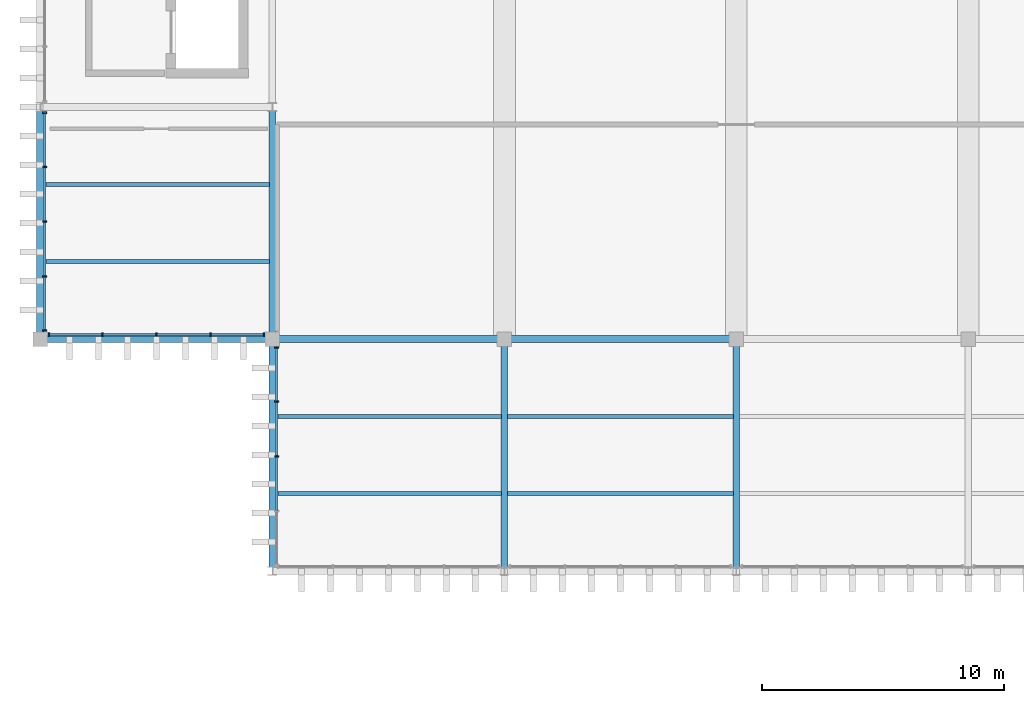
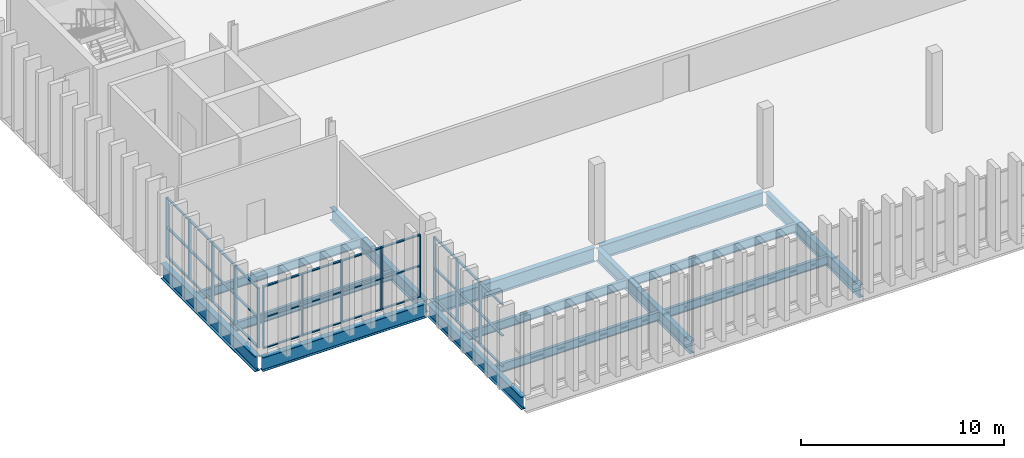
# One storey, part 16 of 99: 46 members, 14 beams, 3 elements without a shape of their own.
"""IFC4 building model written with IfcOpenShell, lengths in metres."""

from ifc_helpers import new_model, si_unit, direction, frame, origin, origin_2d, place, context, subcontext, project, spatial, rectangle, i_section, extrude, material, layer, layer_set, material_profile, profile_set, type_object, element, aggregate, save


model = new_model("IFC4")

# Units and contexts
model_context = context("Model", 3, precision=1e-05, world=origin(), true_north=direction((0.0, 1.0)))
body_context = subcontext(model_context, "Body", "Model", "MODEL_VIEW")
ifc_project = project(units=[si_unit("LENGTHUNIT", "METRE"), si_unit("AREAUNIT", "SQUARE_METRE"), si_unit("VOLUMEUNIT", "CUBIC_METRE"), si_unit("PLANEANGLEUNIT", "RADIAN"), si_unit("MASSUNIT", "GRAM", prefix="KILO")], contexts=[model_context])

# Site, building, storey
site_placement = place(None, origin())
site = spatial("IfcSite", under=ifc_project, at=site_placement, CompositionType="ELEMENT")
building_placement = place(site_placement, origin())
building = spatial("IfcBuilding", under=site, at=building_placement, Name="Caelomonte Colonnade Arena", CompositionType="ELEMENT")
storey_placement = place(building_placement, frame((0.0, 0.0, 4.800048828125)))
storey = spatial("IfcBuildingStorey", under=building, at=storey_placement, Name="L01", CompositionType="ELEMENT", Elevation=4.800048828125)

# Curtain wall, members
ifc_material_1 = material(Name="Bronze anodised aluminium and low-E glazing", Category="aluminium")
ifc_layer_1 = layer(ifc_material_1, 0.179931640625)
ifc_layer_set_1 = layer_set([ifc_layer_1], Name="Bronze anodised aluminium and low-E glazing")
curtain_wall_type_1 = type_object("IfcCurtainWallType", Name="ENV-CW-CW-L01-96-36", PredefinedType="USERDEFINED", material=ifc_layer_set_1)
curtain_wall_1_placement = place(storey_placement, origin())
curtain_wall_1 = element("IfcCurtainWall", 1, at=curtain_wall_1_placement, inside=storey, type_object=curtain_wall_type_1, Name="L01 unitized curtain wall CW-L01-0002-0432", ObjectType="UNITIZED CURTAIN WALL", PredefinedType="USERDEFINED")
ifc_material_2 = material(Name="Bronze anodised aluminium AA6063-T6", Category="aluminium")
ifc_material_profile_1 = material_profile(ifc_material_2, rectangle(XDim=0.06494140625, YDim=0.14990234375, at=origin_2d()), Name="CWM-65X150")
ifc_profile_set_1 = profile_set([ifc_material_profile_1], Name="Bronze anodised aluminium AA6063-T6")
member_type_1 = type_object("IfcMemberType", Name="ENV-CW-MULL2", PredefinedType="MULLION", material=ifc_profile_set_1)
member_1_placement = place(storey_placement, frame((0.179931640625, 47.76318359375, 0.0), z_axis=(0.0, 0.0, 1.0), x_axis=(0.0, -1.0, 0.0)))
member_1 = element("IfcMember", 2, at=member_1_placement, type_object=member_type_1, Name="CW-L01-96-36 mullion 1", PredefinedType="MULLION", context=body_context, shape_type="SweptSolid", body=[
    extrude(rectangle(XDim=0.06494140625, YDim=0.14990234375, at=origin_2d()), origin(), (0.0, 0.0, 1.0), 3.593017578125),
])
member_2_placement = place(storey_placement, frame((0.179931640625, 45.526611328125, 0.0), z_axis=(0.0, 0.0, 1.0), x_axis=(0.0, -1.0, 0.0)))
member_2 = element("IfcMember", 3, at=member_2_placement, type_object=member_type_1, Name="CW-L01-96-36 mullion 2", PredefinedType="MULLION", context=body_context, shape_type="SweptSolid", body=[
    extrude(rectangle(XDim=0.06494140625, YDim=0.14990234375, at=origin_2d()), origin(), (0.0, 0.0, 1.0), 3.593017578125),
])
member_3_placement = place(storey_placement, frame((0.179931640625, 43.2578125, 0.0), z_axis=(0.0, 0.0, 1.0), x_axis=(0.0, -1.0, 0.0)))
member_3 = element("IfcMember", 4, at=member_3_placement, type_object=member_type_1, Name="CW-L01-96-36 mullion 3", PredefinedType="MULLION", context=body_context, shape_type="SweptSolid", body=[
    extrude(rectangle(XDim=0.06494140625, YDim=0.14990234375, at=origin_2d()), origin(), (0.0, 0.0, 1.0), 3.593017578125),
])
member_4_placement = place(storey_placement, frame((0.179931640625, 40.989013671875, 0.0), z_axis=(0.0, 0.0, 1.0), x_axis=(0.0, -1.0, 0.0)))
member_4 = element("IfcMember", 5, at=member_4_placement, type_object=member_type_1, Name="CW-L01-96-36 mullion 4", PredefinedType="MULLION", context=body_context, shape_type="SweptSolid", body=[
    extrude(rectangle(XDim=0.06494140625, YDim=0.14990234375, at=origin_2d()), origin(), (0.0, 0.0, 1.0), 3.593017578125),
])
member_5_placement = place(storey_placement, frame((0.179931640625, 38.75244140625, 0.0), z_axis=(0.0, 0.0, 1.0), x_axis=(0.0, -1.0, 0.0)))
member_5 = element("IfcMember", 6, at=member_5_placement, type_object=member_type_1, Name="CW-L01-96-36 mullion 5", PredefinedType="MULLION", context=body_context, shape_type="SweptSolid", body=[
    extrude(rectangle(XDim=0.06494140625, YDim=0.14990234375, at=origin_2d()), origin(), (0.0, 0.0, 1.0), 3.593017578125),
])

ifc_layer_2 = layer(ifc_material_1, 0.179931640625)
ifc_layer_set_2 = layer_set([ifc_layer_2], Name="Bronze anodised aluminium and low-E glazing")
curtain_wall_type_2 = type_object("IfcCurtainWallType", Name="ENV-CW-CW-L01-96-38", PredefinedType="USERDEFINED", material=ifc_layer_set_2)
curtain_wall_2_placement = place(storey_placement, origin())
curtain_wall_2 = element("IfcCurtainWall", 7, at=curtain_wall_2_placement, inside=storey, type_object=curtain_wall_type_2, Name="L01 unitized curtain wall CW-L01-0048-0386", ObjectType="UNITIZED CURTAIN WALL", PredefinedType="USERDEFINED")
member_6_placement = place(storey_placement, frame((0.3525390625, 38.580078125, 0.0), z_axis=(0.0, 0.0, 1.0), x_axis=(1.0, 0.0, 0.0)))
member_6 = element("IfcMember", 8, at=member_6_placement, type_object=member_type_1, Name="CW-L01-96-38 mullion 1", PredefinedType="MULLION", context=body_context, shape_type="SweptSolid", body=[
    extrude(rectangle(XDim=0.06494140625, YDim=0.14990234375, at=origin_2d()), origin(), (0.0, 0.0, 1.0), 3.758056640625),
])
member_7_placement = place(storey_placement, frame((2.56005859375, 38.580078125, 0.0), z_axis=(0.0, 0.0, 1.0), x_axis=(1.0, 0.0, 0.0)))
member_7 = element("IfcMember", 9, at=member_7_placement, type_object=member_type_1, Name="CW-L01-96-38 mullion 2", PredefinedType="MULLION", context=body_context, shape_type="SweptSolid", body=[
    extrude(rectangle(XDim=0.06494140625, YDim=0.14990234375, at=origin_2d()), origin(), (0.0, 0.0, 1.0), 3.758056640625),
])
member_8_placement = place(storey_placement, frame((4.800048828125, 38.580078125, 0.0), z_axis=(0.0, 0.0, 1.0), x_axis=(1.0, 0.0, 0.0)))
member_8 = element("IfcMember", 10, at=member_8_placement, type_object=member_type_1, Name="CW-L01-96-38 mullion 3", PredefinedType="MULLION", context=body_context, shape_type="SweptSolid", body=[
    extrude(rectangle(XDim=0.06494140625, YDim=0.14990234375, at=origin_2d()), origin(), (0.0, 0.0, 1.0), 3.758056640625),
])
member_9_placement = place(storey_placement, frame((7.0400390625, 38.580078125, 0.0), z_axis=(0.0, 0.0, 1.0), x_axis=(1.0, 0.0, 0.0)))
member_9 = element("IfcMember", 11, at=member_9_placement, type_object=member_type_1, Name="CW-L01-96-38 mullion 4", PredefinedType="MULLION", context=body_context, shape_type="SweptSolid", body=[
    extrude(rectangle(XDim=0.06494140625, YDim=0.14990234375, at=origin_2d()), origin(), (0.0, 0.0, 1.0), 3.758056640625),
])
member_10_placement = place(storey_placement, frame((9.24755859375, 38.580078125, 0.0), z_axis=(0.0, 0.0, 1.0), x_axis=(1.0, 0.0, 0.0)))
member_10 = element("IfcMember", 12, at=member_10_placement, type_object=member_type_1, Name="CW-L01-96-38 mullion 5", PredefinedType="MULLION", context=body_context, shape_type="SweptSolid", body=[
    extrude(rectangle(XDim=0.06494140625, YDim=0.14990234375, at=origin_2d()), origin(), (0.0, 0.0, 1.0), 3.758056640625),
])

curtain_wall_3_placement = place(storey_placement, origin())
curtain_wall_3 = element("IfcCurtainWall", 13, at=curtain_wall_3_placement, inside=storey, type_object=curtain_wall_type_2, Name="L01 unitized curtain wall CW-L01-0098-0336", ObjectType="UNITIZED CURTAIN WALL", PredefinedType="USERDEFINED")
member_11_placement = place(storey_placement, frame((9.780029296875, 38.047607421875, 0.0), z_axis=(0.0, 0.0, 1.0), x_axis=(0.0, -1.0, 0.0)))
member_11 = element("IfcMember", 14, at=member_11_placement, type_object=member_type_1, Name="CW-L01-96-38 mullion 1", PredefinedType="MULLION", context=body_context, shape_type="SweptSolid", body=[
    extrude(rectangle(XDim=0.06494140625, YDim=0.14990234375, at=origin_2d()), origin(), (0.0, 0.0, 1.0), 3.758056640625),
])
member_12_placement = place(storey_placement, frame((9.780029296875, 35.81103515625, 0.0), z_axis=(0.0, 0.0, 1.0), x_axis=(0.0, -1.0, 0.0)))
member_12 = element("IfcMember", 15, at=member_12_placement, type_object=member_type_1, Name="CW-L01-96-38 mullion 2", PredefinedType="MULLION", context=body_context, shape_type="SweptSolid", body=[
    extrude(rectangle(XDim=0.06494140625, YDim=0.14990234375, at=origin_2d()), origin(), (0.0, 0.0, 1.0), 3.758056640625),
])
member_13_placement = place(storey_placement, frame((9.780029296875, 33.542236328125, 0.0), z_axis=(0.0, 0.0, 1.0), x_axis=(0.0, -1.0, 0.0)))
member_13 = element("IfcMember", 16, at=member_13_placement, type_object=member_type_1, Name="CW-L01-96-38 mullion 3", PredefinedType="MULLION", context=body_context, shape_type="SweptSolid", body=[
    extrude(rectangle(XDim=0.06494140625, YDim=0.14990234375, at=origin_2d()), origin(), (0.0, 0.0, 1.0), 3.758056640625),
])

# Member
ifc_material_profile_2 = material_profile(ifc_material_2, rectangle(XDim=0.06494140625, YDim=0.1201171875, at=origin_2d()), Name="CWT-65X120")
ifc_profile_set_2 = profile_set([ifc_material_profile_2], Name="Bronze anodised aluminium AA6063-T6")
member_type_2 = type_object("IfcMemberType", Name="ENV-CW-TRAN2", PredefinedType="USERDEFINED", material=ifc_profile_set_2)
member_14_placement = place(storey_placement, frame((0.179931640625, 47.730712890625, 0.032470703125), z_axis=(0.0, -1.0, 0.0), x_axis=(0.0, 0.0, 1.0)))
member_14 = element("IfcMember", 17, at=member_14_placement, type_object=member_type_2, Name="CW-L01-96-36 transom 1.1", ObjectType="TRANSOM", PredefinedType="USERDEFINED", context=body_context, shape_type="SweptSolid", body=[
    extrude(rectangle(XDim=0.06494140625, YDim=0.1201171875, at=origin_2d()), origin(), (0.0, 0.0, 1.0), 2.171630859375),
])

member_15_placement = place(storey_placement, frame((0.179931640625, 47.730712890625, 1.79638671875), z_axis=(0.0, -1.0, 0.0), x_axis=(0.0, 0.0, 1.0)))
member_15 = element("IfcMember", 18, at=member_15_placement, type_object=member_type_2, Name="CW-L01-96-36 transom 1.2", ObjectType="TRANSOM", PredefinedType="USERDEFINED", context=body_context, shape_type="SweptSolid", body=[
    extrude(rectangle(XDim=0.06494140625, YDim=0.1201171875, at=origin_2d()), origin(), (0.0, 0.0, 1.0), 2.171630859375),
])

member_16_placement = place(storey_placement, frame((0.179931640625, 47.730712890625, 3.560546875), z_axis=(0.0, -1.0, 0.0), x_axis=(0.0, 0.0, 1.0)))
member_16 = element("IfcMember", 19, at=member_16_placement, type_object=member_type_2, Name="CW-L01-96-36 transom 1.3", ObjectType="TRANSOM", PredefinedType="USERDEFINED", context=body_context, shape_type="SweptSolid", body=[
    extrude(rectangle(XDim=0.06494140625, YDim=0.1201171875, at=origin_2d()), origin(), (0.0, 0.0, 1.0), 2.171630859375),
])

member_17_placement = place(storey_placement, frame((0.179931640625, 45.494140625, 0.032470703125), z_axis=(0.0, -1.0, 0.0), x_axis=(0.0, 0.0, 1.0)))
member_17 = element("IfcMember", 20, at=member_17_placement, type_object=member_type_2, Name="CW-L01-96-36 transom 2.1", ObjectType="TRANSOM", PredefinedType="USERDEFINED", context=body_context, shape_type="SweptSolid", body=[
    extrude(rectangle(XDim=0.06494140625, YDim=0.1201171875, at=origin_2d()), origin(), (0.0, 0.0, 1.0), 2.203857421875),
])

member_18_placement = place(storey_placement, frame((0.179931640625, 45.494140625, 1.79638671875), z_axis=(0.0, -1.0, 0.0), x_axis=(0.0, 0.0, 1.0)))
member_18 = element("IfcMember", 21, at=member_18_placement, type_object=member_type_2, Name="CW-L01-96-36 transom 2.2", ObjectType="TRANSOM", PredefinedType="USERDEFINED", context=body_context, shape_type="SweptSolid", body=[
    extrude(rectangle(XDim=0.06494140625, YDim=0.1201171875, at=origin_2d()), origin(), (0.0, 0.0, 1.0), 2.203857421875),
])

member_19_placement = place(storey_placement, frame((0.179931640625, 45.494140625, 3.560546875), z_axis=(0.0, -1.0, 0.0), x_axis=(0.0, 0.0, 1.0)))
member_19 = element("IfcMember", 22, at=member_19_placement, type_object=member_type_2, Name="CW-L01-96-36 transom 2.3", ObjectType="TRANSOM", PredefinedType="USERDEFINED", context=body_context, shape_type="SweptSolid", body=[
    extrude(rectangle(XDim=0.06494140625, YDim=0.1201171875, at=origin_2d()), origin(), (0.0, 0.0, 1.0), 2.203857421875),
])

member_20_placement = place(storey_placement, frame((0.179931640625, 43.225341796875, 0.032470703125), z_axis=(0.0, -1.0, 0.0), x_axis=(0.0, 0.0, 1.0)))
member_20 = element("IfcMember", 23, at=member_20_placement, type_object=member_type_2, Name="CW-L01-96-36 transom 3.1", ObjectType="TRANSOM", PredefinedType="USERDEFINED", context=body_context, shape_type="SweptSolid", body=[
    extrude(rectangle(XDim=0.06494140625, YDim=0.1201171875, at=origin_2d()), origin(), (0.0, 0.0, 1.0), 2.203857421875),
])

member_21_placement = place(storey_placement, frame((0.179931640625, 43.225341796875, 1.79638671875), z_axis=(0.0, -1.0, 0.0), x_axis=(0.0, 0.0, 1.0)))
member_21 = element("IfcMember", 24, at=member_21_placement, type_object=member_type_2, Name="CW-L01-96-36 transom 3.2", ObjectType="TRANSOM", PredefinedType="USERDEFINED", context=body_context, shape_type="SweptSolid", body=[
    extrude(rectangle(XDim=0.06494140625, YDim=0.1201171875, at=origin_2d()), origin(), (0.0, 0.0, 1.0), 2.203857421875),
])

member_22_placement = place(storey_placement, frame((0.179931640625, 43.225341796875, 3.560546875), z_axis=(0.0, -1.0, 0.0), x_axis=(0.0, 0.0, 1.0)))
member_22 = element("IfcMember", 25, at=member_22_placement, type_object=member_type_2, Name="CW-L01-96-36 transom 3.3", ObjectType="TRANSOM", PredefinedType="USERDEFINED", context=body_context, shape_type="SweptSolid", body=[
    extrude(rectangle(XDim=0.06494140625, YDim=0.1201171875, at=origin_2d()), origin(), (0.0, 0.0, 1.0), 2.203857421875),
])

member_23_placement = place(storey_placement, frame((0.179931640625, 40.956298828125, 0.032470703125), z_axis=(0.0, -1.0, 0.0), x_axis=(0.0, 0.0, 1.0)))
member_23 = element("IfcMember", 26, at=member_23_placement, type_object=member_type_2, Name="CW-L01-96-36 transom 4.1", ObjectType="TRANSOM", PredefinedType="USERDEFINED", context=body_context, shape_type="SweptSolid", body=[
    extrude(rectangle(XDim=0.06494140625, YDim=0.1201171875, at=origin_2d()), origin(), (0.0, 0.0, 1.0), 2.17138671875),
])

member_24_placement = place(storey_placement, frame((0.179931640625, 40.956298828125, 1.79638671875), z_axis=(0.0, -1.0, 0.0), x_axis=(0.0, 0.0, 1.0)))
member_24 = element("IfcMember", 27, at=member_24_placement, type_object=member_type_2, Name="CW-L01-96-36 transom 4.2", ObjectType="TRANSOM", PredefinedType="USERDEFINED", context=body_context, shape_type="SweptSolid", body=[
    extrude(rectangle(XDim=0.06494140625, YDim=0.1201171875, at=origin_2d()), origin(), (0.0, 0.0, 1.0), 2.17138671875),
])

member_25_placement = place(storey_placement, frame((0.179931640625, 40.956298828125, 3.560546875), z_axis=(0.0, -1.0, 0.0), x_axis=(0.0, 0.0, 1.0)))
member_25 = element("IfcMember", 28, at=member_25_placement, type_object=member_type_2, Name="CW-L01-96-36 transom 4.3", ObjectType="TRANSOM", PredefinedType="USERDEFINED", context=body_context, shape_type="SweptSolid", body=[
    extrude(rectangle(XDim=0.06494140625, YDim=0.1201171875, at=origin_2d()), origin(), (0.0, 0.0, 1.0), 2.17138671875),
])

aggregate(curtain_wall_1, [member_1, member_2, member_3, member_4, member_5, member_14, member_15, member_16, member_17, member_18, member_19, member_20, member_21, member_22, member_23, member_24, member_25])

member_26_placement = place(storey_placement, frame((0.385009765625, 38.580078125, 0.032470703125), z_axis=(1.0, 0.0, 0.0), x_axis=(0.0, 0.0, 1.0)))
member_26 = element("IfcMember", 29, at=member_26_placement, type_object=member_type_2, Name="CW-L01-96-38 transom 1.1", ObjectType="TRANSOM", PredefinedType="USERDEFINED", context=body_context, shape_type="SweptSolid", body=[
    extrude(rectangle(XDim=0.06494140625, YDim=0.1201171875, at=origin_2d()), origin(), (0.0, 0.0, 1.0), 2.142578125),
])

member_27_placement = place(storey_placement, frame((0.385009765625, 38.580078125, 1.87890625), z_axis=(1.0, 0.0, 0.0), x_axis=(0.0, 0.0, 1.0)))
member_27 = element("IfcMember", 30, at=member_27_placement, type_object=member_type_2, Name="CW-L01-96-38 transom 1.2", ObjectType="TRANSOM", PredefinedType="USERDEFINED", context=body_context, shape_type="SweptSolid", body=[
    extrude(rectangle(XDim=0.06494140625, YDim=0.1201171875, at=origin_2d()), origin(), (0.0, 0.0, 1.0), 2.142578125),
])

member_28_placement = place(storey_placement, frame((0.385009765625, 38.580078125, 3.725341796875), z_axis=(1.0, 0.0, 0.0), x_axis=(0.0, 0.0, 1.0)))
member_28 = element("IfcMember", 31, at=member_28_placement, type_object=member_type_2, Name="CW-L01-96-38 transom 1.3", ObjectType="TRANSOM", PredefinedType="USERDEFINED", context=body_context, shape_type="SweptSolid", body=[
    extrude(rectangle(XDim=0.06494140625, YDim=0.1201171875, at=origin_2d()), origin(), (0.0, 0.0, 1.0), 2.142578125),
])

member_29_placement = place(storey_placement, frame((2.592529296875, 38.580078125, 0.032470703125), z_axis=(1.0, 0.0, 0.0), x_axis=(0.0, 0.0, 1.0)))
member_29 = element("IfcMember", 32, at=member_29_placement, type_object=member_type_2, Name="CW-L01-96-38 transom 2.1", ObjectType="TRANSOM", PredefinedType="USERDEFINED", context=body_context, shape_type="SweptSolid", body=[
    extrude(rectangle(XDim=0.06494140625, YDim=0.1201171875, at=origin_2d()), origin(), (0.0, 0.0, 1.0), 2.175048828125),
])

member_30_placement = place(storey_placement, frame((2.592529296875, 38.580078125, 1.87890625), z_axis=(1.0, 0.0, 0.0), x_axis=(0.0, 0.0, 1.0)))
member_30 = element("IfcMember", 33, at=member_30_placement, type_object=member_type_2, Name="CW-L01-96-38 transom 2.2", ObjectType="TRANSOM", PredefinedType="USERDEFINED", context=body_context, shape_type="SweptSolid", body=[
    extrude(rectangle(XDim=0.06494140625, YDim=0.1201171875, at=origin_2d()), origin(), (0.0, 0.0, 1.0), 2.175048828125),
])

member_31_placement = place(storey_placement, frame((2.592529296875, 38.580078125, 3.725341796875), z_axis=(1.0, 0.0, 0.0), x_axis=(0.0, 0.0, 1.0)))
member_31 = element("IfcMember", 34, at=member_31_placement, type_object=member_type_2, Name="CW-L01-96-38 transom 2.3", ObjectType="TRANSOM", PredefinedType="USERDEFINED", context=body_context, shape_type="SweptSolid", body=[
    extrude(rectangle(XDim=0.06494140625, YDim=0.1201171875, at=origin_2d()), origin(), (0.0, 0.0, 1.0), 2.175048828125),
])

member_32_placement = place(storey_placement, frame((4.83251953125, 38.580078125, 0.032470703125), z_axis=(1.0, 0.0, 0.0), x_axis=(0.0, 0.0, 1.0)))
member_32 = element("IfcMember", 35, at=member_32_placement, type_object=member_type_2, Name="CW-L01-96-38 transom 3.1", ObjectType="TRANSOM", PredefinedType="USERDEFINED", context=body_context, shape_type="SweptSolid", body=[
    extrude(rectangle(XDim=0.06494140625, YDim=0.1201171875, at=origin_2d()), origin(), (0.0, 0.0, 1.0), 2.175048828125),
])

member_33_placement = place(storey_placement, frame((4.83251953125, 38.580078125, 1.87890625), z_axis=(1.0, 0.0, 0.0), x_axis=(0.0, 0.0, 1.0)))
member_33 = element("IfcMember", 36, at=member_33_placement, type_object=member_type_2, Name="CW-L01-96-38 transom 3.2", ObjectType="TRANSOM", PredefinedType="USERDEFINED", context=body_context, shape_type="SweptSolid", body=[
    extrude(rectangle(XDim=0.06494140625, YDim=0.1201171875, at=origin_2d()), origin(), (0.0, 0.0, 1.0), 2.175048828125),
])

member_34_placement = place(storey_placement, frame((4.83251953125, 38.580078125, 3.725341796875), z_axis=(1.0, 0.0, 0.0), x_axis=(0.0, 0.0, 1.0)))
member_34 = element("IfcMember", 37, at=member_34_placement, type_object=member_type_2, Name="CW-L01-96-38 transom 3.3", ObjectType="TRANSOM", PredefinedType="USERDEFINED", context=body_context, shape_type="SweptSolid", body=[
    extrude(rectangle(XDim=0.06494140625, YDim=0.1201171875, at=origin_2d()), origin(), (0.0, 0.0, 1.0), 2.175048828125),
])

member_35_placement = place(storey_placement, frame((7.072509765625, 38.580078125, 0.032470703125), z_axis=(1.0, 0.0, 0.0), x_axis=(0.0, 0.0, 1.0)))
member_35 = element("IfcMember", 38, at=member_35_placement, type_object=member_type_2, Name="CW-L01-96-38 transom 4.1", ObjectType="TRANSOM", PredefinedType="USERDEFINED", context=body_context, shape_type="SweptSolid", body=[
    extrude(rectangle(XDim=0.06494140625, YDim=0.1201171875, at=origin_2d()), origin(), (0.0, 0.0, 1.0), 2.142578125),
])

member_36_placement = place(storey_placement, frame((7.072509765625, 38.580078125, 1.87890625), z_axis=(1.0, 0.0, 0.0), x_axis=(0.0, 0.0, 1.0)))
member_36 = element("IfcMember", 39, at=member_36_placement, type_object=member_type_2, Name="CW-L01-96-38 transom 4.2", ObjectType="TRANSOM", PredefinedType="USERDEFINED", context=body_context, shape_type="SweptSolid", body=[
    extrude(rectangle(XDim=0.06494140625, YDim=0.1201171875, at=origin_2d()), origin(), (0.0, 0.0, 1.0), 2.142578125),
])

member_37_placement = place(storey_placement, frame((7.072509765625, 38.580078125, 3.725341796875), z_axis=(1.0, 0.0, 0.0), x_axis=(0.0, 0.0, 1.0)))
member_37 = element("IfcMember", 40, at=member_37_placement, type_object=member_type_2, Name="CW-L01-96-38 transom 4.3", ObjectType="TRANSOM", PredefinedType="USERDEFINED", context=body_context, shape_type="SweptSolid", body=[
    extrude(rectangle(XDim=0.06494140625, YDim=0.1201171875, at=origin_2d()), origin(), (0.0, 0.0, 1.0), 2.142578125),
])

aggregate(curtain_wall_2, [member_6, member_7, member_8, member_9, member_10, member_26, member_27, member_28, member_29, member_30, member_31, member_32, member_33, member_34, member_35, member_36, member_37])

member_38_placement = place(storey_placement, frame((9.780029296875, 38.014892578125, 0.032470703125), z_axis=(0.0, -1.0, 0.0), x_axis=(0.0, 0.0, 1.0)))
member_38 = element("IfcMember", 41, at=member_38_placement, type_object=member_type_2, Name="CW-L01-96-38 transom 1.1", ObjectType="TRANSOM", PredefinedType="USERDEFINED", context=body_context, shape_type="SweptSolid", body=[
    extrude(rectangle(XDim=0.06494140625, YDim=0.1201171875, at=origin_2d()), origin(), (0.0, 0.0, 1.0), 2.17138671875),
])

member_39_placement = place(storey_placement, frame((9.780029296875, 38.014892578125, 1.87890625), z_axis=(0.0, -1.0, 0.0), x_axis=(0.0, 0.0, 1.0)))
member_39 = element("IfcMember", 42, at=member_39_placement, type_object=member_type_2, Name="CW-L01-96-38 transom 1.2", ObjectType="TRANSOM", PredefinedType="USERDEFINED", context=body_context, shape_type="SweptSolid", body=[
    extrude(rectangle(XDim=0.06494140625, YDim=0.1201171875, at=origin_2d()), origin(), (0.0, 0.0, 1.0), 2.17138671875),
])

member_40_placement = place(storey_placement, frame((9.780029296875, 38.014892578125, 3.725341796875), z_axis=(0.0, -1.0, 0.0), x_axis=(0.0, 0.0, 1.0)))
member_40 = element("IfcMember", 43, at=member_40_placement, type_object=member_type_2, Name="CW-L01-96-38 transom 1.3", ObjectType="TRANSOM", PredefinedType="USERDEFINED", context=body_context, shape_type="SweptSolid", body=[
    extrude(rectangle(XDim=0.06494140625, YDim=0.1201171875, at=origin_2d()), origin(), (0.0, 0.0, 1.0), 2.17138671875),
])

member_41_placement = place(storey_placement, frame((9.780029296875, 35.778564453125, 0.032470703125), z_axis=(0.0, -1.0, 0.0), x_axis=(0.0, 0.0, 1.0)))
member_41 = element("IfcMember", 44, at=member_41_placement, type_object=member_type_2, Name="CW-L01-96-38 transom 2.1", ObjectType="TRANSOM", PredefinedType="USERDEFINED", context=body_context, shape_type="SweptSolid", body=[
    extrude(rectangle(XDim=0.06494140625, YDim=0.1201171875, at=origin_2d()), origin(), (0.0, 0.0, 1.0), 2.203857421875),
])

member_42_placement = place(storey_placement, frame((9.780029296875, 35.778564453125, 1.87890625), z_axis=(0.0, -1.0, 0.0), x_axis=(0.0, 0.0, 1.0)))
member_42 = element("IfcMember", 45, at=member_42_placement, type_object=member_type_2, Name="CW-L01-96-38 transom 2.2", ObjectType="TRANSOM", PredefinedType="USERDEFINED", context=body_context, shape_type="SweptSolid", body=[
    extrude(rectangle(XDim=0.06494140625, YDim=0.1201171875, at=origin_2d()), origin(), (0.0, 0.0, 1.0), 2.203857421875),
])

member_43_placement = place(storey_placement, frame((9.780029296875, 35.778564453125, 3.725341796875), z_axis=(0.0, -1.0, 0.0), x_axis=(0.0, 0.0, 1.0)))
member_43 = element("IfcMember", 46, at=member_43_placement, type_object=member_type_2, Name="CW-L01-96-38 transom 2.3", ObjectType="TRANSOM", PredefinedType="USERDEFINED", context=body_context, shape_type="SweptSolid", body=[
    extrude(rectangle(XDim=0.06494140625, YDim=0.1201171875, at=origin_2d()), origin(), (0.0, 0.0, 1.0), 2.203857421875),
])

member_44_placement = place(storey_placement, frame((9.780029296875, 33.509765625, 0.032470703125), z_axis=(0.0, -1.0, 0.0), x_axis=(0.0, 0.0, 1.0)))
member_44 = element("IfcMember", 47, at=member_44_placement, type_object=member_type_2, Name="CW-L01-96-38 transom 3.1", ObjectType="TRANSOM", PredefinedType="USERDEFINED", context=body_context, shape_type="SweptSolid", body=[
    extrude(rectangle(XDim=0.06494140625, YDim=0.1201171875, at=origin_2d()), origin(), (0.0, 0.0, 1.0), 2.203857421875),
])

member_45_placement = place(storey_placement, frame((9.780029296875, 33.509765625, 1.87890625), z_axis=(0.0, -1.0, 0.0), x_axis=(0.0, 0.0, 1.0)))
member_45 = element("IfcMember", 48, at=member_45_placement, type_object=member_type_2, Name="CW-L01-96-38 transom 3.2", ObjectType="TRANSOM", PredefinedType="USERDEFINED", context=body_context, shape_type="SweptSolid", body=[
    extrude(rectangle(XDim=0.06494140625, YDim=0.1201171875, at=origin_2d()), origin(), (0.0, 0.0, 1.0), 2.203857421875),
])

member_46_placement = place(storey_placement, frame((9.780029296875, 33.509765625, 3.725341796875), z_axis=(0.0, -1.0, 0.0), x_axis=(0.0, 0.0, 1.0)))
member_46 = element("IfcMember", 49, at=member_46_placement, type_object=member_type_2, Name="CW-L01-96-38 transom 3.3", ObjectType="TRANSOM", PredefinedType="USERDEFINED", context=body_context, shape_type="SweptSolid", body=[
    extrude(rectangle(XDim=0.06494140625, YDim=0.1201171875, at=origin_2d()), origin(), (0.0, 0.0, 1.0), 2.203857421875),
])

aggregate(curtain_wall_3, [member_11, member_12, member_13, member_38, member_39, member_40, member_41, member_42, member_43, member_44, member_45, member_46])

# Beams
ifc_material_3 = material(Name="Wide-flange steel ASTM A992 Grade 50", Category="steel")
ifc_material_profile_3 = material_profile(ifc_material_3, i_section(OverallWidth=0.307861328125, OverallDepth=0.927001953125, WebThickness=0.019287109375, FlangeThickness=0.031982421875, FilletRadius=0.020263671875, at=origin_2d()), Name="W36X194")
ifc_profile_set_3 = profile_set([ifc_material_profile_3], Name="Wide-flange steel ASTM A992 Grade 50")
beam_type_1 = type_object("IfcBeamType", Name="STR-BM-EAVES2", PredefinedType="SPANDREL", material=ifc_profile_set_3)
beam_1_placement = place(storey_placement, frame((0.0, 38.54443359375, -0.763427734375), z_axis=(0.0, 1.0, 0.0), x_axis=(-1.0, 0.0, 0.0)))
element("IfcBeam", 50, at=beam_1_placement, inside=storey, type_object=beam_type_1, Name="L01 girder BMY-L01-0000-0384", PredefinedType="SPANDREL", context=body_context, shape_type="SweptSolid", body=[
    extrude(i_section(OverallWidth=0.307861328125, OverallDepth=0.927001953125, WebThickness=0.019287109375, FlangeThickness=0.031982421875, FilletRadius=0.020263671875, at=origin_2d()), origin(), (0.0, 0.0, 1.0), 9.285400390625),
])
ifc_material_profile_4 = material_profile(ifc_material_3, i_section(OverallWidth=0.2666015625, OverallDepth=0.761962890625, WebThickness=0.014404296875, FlangeThickness=0.021484375, FilletRadius=0.0166015625, at=origin_2d()), Name="W30X116")
ifc_profile_set_4 = profile_set([ifc_material_profile_4], Name="Wide-flange steel ASTM A992 Grade 50")
beam_type_2 = type_object("IfcBeamType", Name="STR-BM-GIRD30", PredefinedType="BEAM", material=ifc_profile_set_4)
for number, where, z_axis, x_axis, name in (
    (51, (9.60009765625, 28.97021484375, -0.68115234375), (0.0, 1.0, 0.0), (-1.0, 0.0, 0.0), "L01 girder BMY-L01-0096-0288"),
    (52, (9.60009765625, 38.54443359375, -0.68115234375), (0.0, 1.0, 0.0), (-1.0, 0.0, 0.0), "L01 girder BMY-L01-0096-0384"),
    (53, (19.199951171875, 28.97021484375, -0.68115234375), (0.0, 1.0, 0.0), (-1.0, 0.0, 0.0), "L01 girder BMY-L01-0192-0288"),
    (54, (28.800048828125, 28.97021484375, -0.68115234375), (0.0, 1.0, 0.0), (-1.0, 0.0, 0.0), "L01 girder BMY-L01-0288-0288"),
):
    element("IfcBeam", number, at=place(storey_placement, frame(where, z_axis=z_axis, x_axis=x_axis)), inside=storey, type_object=beam_type_2, Name=name, PredefinedType="BEAM", context=body_context, shape_type="SweptSolid", body=[
        extrude(i_section(OverallWidth=0.2666015625, OverallDepth=0.761962890625, WebThickness=0.014404296875, FlangeThickness=0.021484375, FilletRadius=0.0166015625, at=origin_2d()), origin(), (0.0, 0.0, 1.0), 9.285400390625),
    ])
ifc_material_profile_5 = material_profile(ifc_material_3, i_section(OverallWidth=0.2919921875, OverallDepth=0.835693359375, WebThickness=0.013916015625, FlangeThickness=0.018798828125, FilletRadius=0.017822265625, at=origin_2d()), Name="W33X118")
ifc_profile_set_5 = profile_set([ifc_material_profile_5], Name="Wide-flange steel ASTM A992 Grade 50")
beam_type_3 = type_object("IfcBeamType", Name="STR-BM-GIRD33B", PredefinedType="BEAM", material=ifc_profile_set_5)
for number, where, z_axis, x_axis, name in (
    (55, (0.144287109375, 38.39990234375, -0.7177734375), (1.0, 0.0, 0.0), (0.0, 1.0, 0.0), "L01 girder BMX-L01-0000-0384"),
    (56, (9.744384765625, 38.39990234375, -0.7177734375), (1.0, 0.0, 0.0), (0.0, 1.0, 0.0), "L01 girder BMX-L01-0096-0384"),
):
    element("IfcBeam", number, at=place(storey_placement, frame(where, z_axis=z_axis, x_axis=x_axis)), inside=storey, type_object=beam_type_3, Name=name, PredefinedType="BEAM", context=body_context, shape_type="SweptSolid", body=[
        extrude(i_section(OverallWidth=0.2919921875, OverallDepth=0.835693359375, WebThickness=0.013916015625, FlangeThickness=0.018798828125, FilletRadius=0.017822265625, at=origin_2d()), origin(), (0.0, 0.0, 1.0), 9.311279296875),
    ])
beam_2_placement = place(storey_placement, frame((19.344482421875, 38.39990234375, -0.7177734375), z_axis=(1.0, 0.0, 0.0), x_axis=(0.0, 1.0, 0.0)))
element("IfcBeam", 57, at=beam_2_placement, inside=storey, type_object=beam_type_3, Name="L01 girder BMX-L01-0192-0384", PredefinedType="BEAM", context=body_context, shape_type="SweptSolid", body=[
    extrude(i_section(OverallWidth=0.2919921875, OverallDepth=0.835693359375, WebThickness=0.013916015625, FlangeThickness=0.018798828125, FilletRadius=0.017822265625, at=origin_2d()), origin(), (0.0, 0.0, 1.0), 9.31103515625),
])
ifc_material_profile_6 = material_profile(ifc_material_3, i_section(OverallWidth=0.166015625, OverallDepth=0.5283203125, WebThickness=0.009765625, FlangeThickness=0.013671875, FilletRadius=0.0126953125, at=origin_2d()), Name="W21X50")
ifc_profile_set_6 = profile_set([ifc_material_profile_6], Name="Wide-flange steel ASTM A992 Grade 50")
beam_type_4 = type_object("IfcBeamType", Name="STR-BM-JOIST21B", PredefinedType="JOIST", material=ifc_profile_set_6)
for number, where, z_axis, x_axis, name in (
    (58, (0.14892578125, 41.60009765625, -0.564208984375), (1.0, 0.0, 0.0), (0.0, 1.0, 0.0), "L01 secondary joist 1"),
    (59, (0.14892578125, 44.800048828125, -0.564208984375), (1.0, 0.0, 0.0), (0.0, 1.0, 0.0), "L01 secondary joist 2"),
):
    element("IfcBeam", number, at=place(storey_placement, frame(where, z_axis=z_axis, x_axis=x_axis)), inside=storey, type_object=beam_type_4, Name=name, PredefinedType="JOIST", context=body_context, shape_type="SweptSolid", body=[
        extrude(i_section(OverallWidth=0.166015625, OverallDepth=0.5283203125, WebThickness=0.009765625, FlangeThickness=0.013671875, FilletRadius=0.0126953125, at=origin_2d()), origin(), (0.0, 0.0, 1.0), 9.32275390625),
    ])
for number, where, z_axis, x_axis, name in (
    (60, (9.728271484375, 32.0, -0.564208984375), (1.0, 0.0, 0.0), (0.0, 1.0, 0.0), "L01 secondary joist 1"),
    (61, (9.728271484375, 35.199951171875, -0.564208984375), (1.0, 0.0, 0.0), (0.0, 1.0, 0.0), "L01 secondary joist 2"),
    (62, (19.328369140625, 32.0, -0.564208984375), (1.0, 0.0, 0.0), (0.0, 1.0, 0.0), "L01 secondary joist 1"),
    (63, (19.328369140625, 35.199951171875, -0.564208984375), (1.0, 0.0, 0.0), (0.0, 1.0, 0.0), "L01 secondary joist 2"),
):
    element("IfcBeam", number, at=place(storey_placement, frame(where, z_axis=z_axis, x_axis=x_axis)), inside=storey, type_object=beam_type_4, Name=name, PredefinedType="JOIST", context=body_context, shape_type="SweptSolid", body=[
        extrude(i_section(OverallWidth=0.166015625, OverallDepth=0.5283203125, WebThickness=0.009765625, FlangeThickness=0.013671875, FilletRadius=0.0126953125, at=origin_2d()), origin(), (0.0, 0.0, 1.0), 9.34326171875),
    ])

save(model, "model.ifc")
